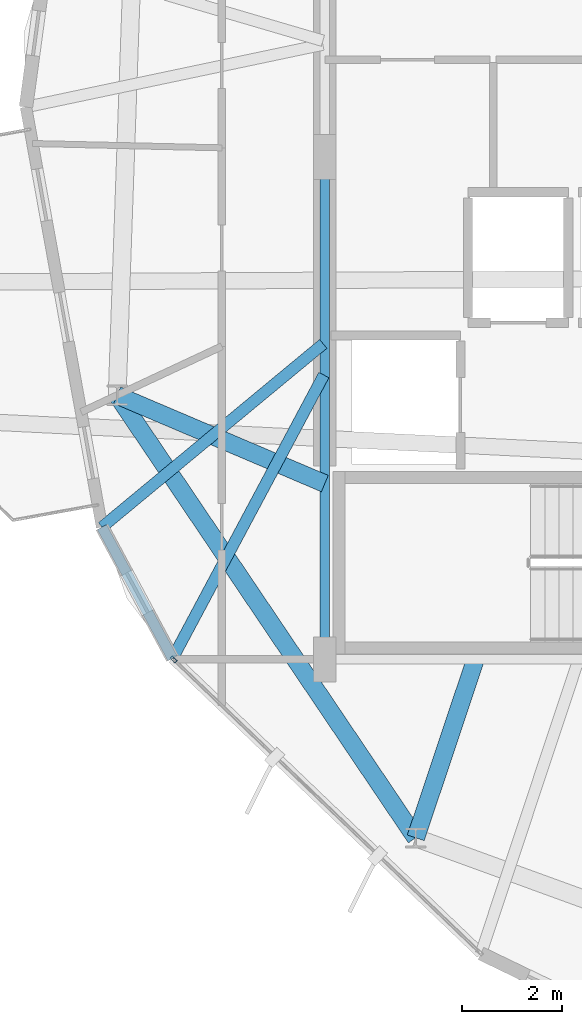
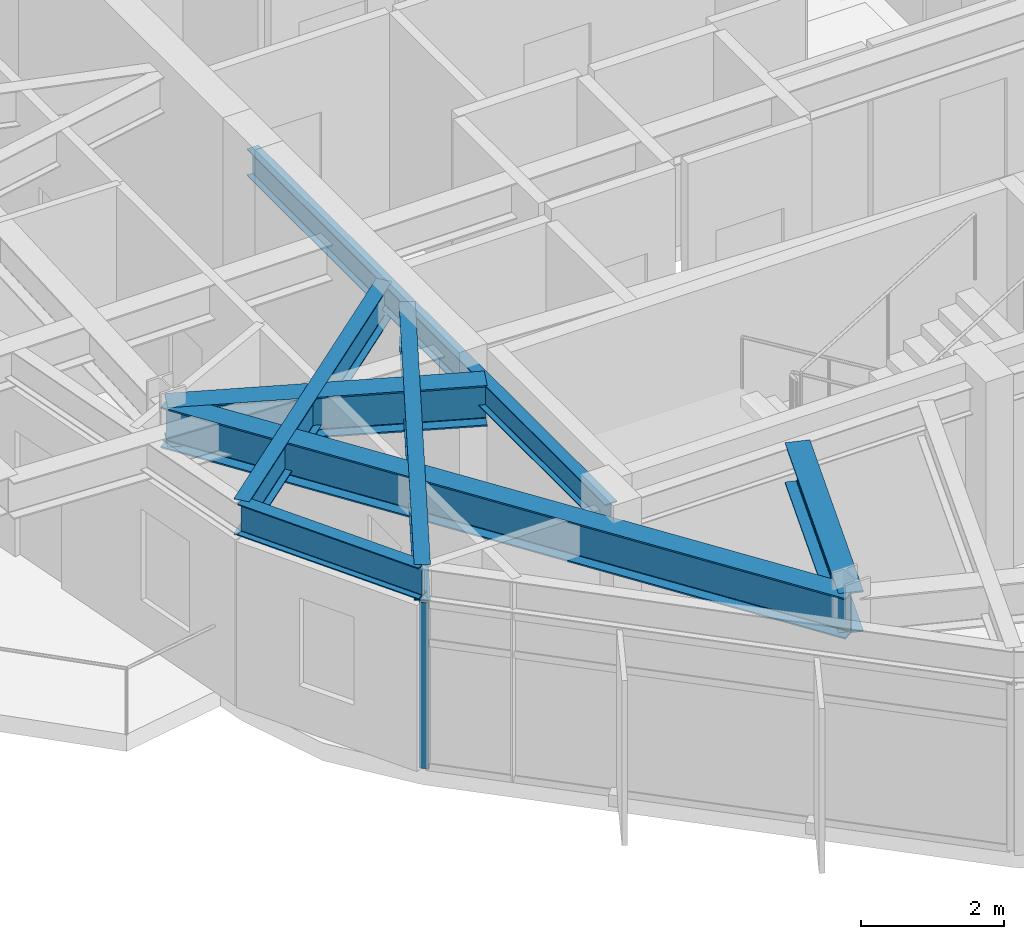
# One storey, part 3 of 26: 7 beams, 1 member, 1 element without a shape of its own.
"""IFC4 building model written with IfcOpenShell, lengths in metres."""

from ifc_helpers import new_model, si_unit, direction, frame, origin, origin_2d, place, context, subcontext, project, spatial, hollow_rectangle, i_section, extrude, material, layer, layer_set, material_profile, profile_set, type_object, element, aggregate, save


model = new_model("IFC4")

# Units and contexts
model_context = context("Model", 3, precision=1e-05, world=origin(), true_north=direction((0.0, 1.0)))
body_context = subcontext(model_context, "Body", "Model", "MODEL_VIEW")
ifc_project = project(units=[si_unit("LENGTHUNIT", "METRE"), si_unit("AREAUNIT", "SQUARE_METRE"), si_unit("VOLUMEUNIT", "CUBIC_METRE"), si_unit("PLANEANGLEUNIT", "RADIAN"), si_unit("MASSUNIT", "GRAM", prefix="KILO")], contexts=[model_context])

# Site, building, storey
site_placement = place(None, origin())
site = spatial("IfcSite", under=ifc_project, at=site_placement, CompositionType="ELEMENT")
building_placement = place(site_placement, origin())
building = spatial("IfcBuilding", under=site, at=building_placement, Name="Soratama Intermodal Tower", CompositionType="ELEMENT")
storey_placement = place(building_placement, frame((0.0, 0.0, 268.75)))
storey = spatial("IfcBuildingStorey", under=building, at=storey_placement, Name="L68", CompositionType="ELEMENT", Elevation=268.75)

# Beams
ifc_material_1 = material(Name="Structural steel ASTM A992 Grade 50", Category="steel")
ifc_material_profile_1 = material_profile(ifc_material_1, i_section(OverallWidth=0.19091796875, OverallDepth=0.4599609375, WebThickness=0.010009765625, FlangeThickness=0.01611328125, FilletRadius=0.010986328125, at=origin_2d()), Name="W18X55")
ifc_profile_set_1 = profile_set([ifc_material_profile_1], Name="Structural steel ASTM A992 Grade 50")
beam_type_1 = type_object("IfcBeamType", Name="BM-FLR-W18X55", PredefinedType="BEAM", material=ifc_profile_set_1)
beam_1_placement = place(storey_placement, frame((32.60009765625, 25.0, 3.219970703125), z_axis=(0.0, -1.0, 0.0), x_axis=(1.0, 0.0, 0.0)))
element("IfcBeam", 1, at=beam_1_placement, inside=storey, type_object=beam_type_1, Name="BM-L68-CRING-09", PredefinedType="BEAM", context=body_context, shape_type="SweptSolid", body=[
    extrude(i_section(OverallWidth=0.19091796875, OverallDepth=0.4599609375, WebThickness=0.010009765625, FlangeThickness=0.01611328125, FilletRadius=0.010986328125, at=origin_2d()), origin(), (0.0, 0.0, 1.0), 10.0),
])
ifc_material_2 = material(Name="Structural steel ASTM A992 Grade 50", Category="steel")
ifc_material_profile_2 = material_profile(ifc_material_2, i_section(OverallWidth=0.35498046875, OverallDepth=0.695068359375, WebThickness=0.015380859375, FlangeThickness=0.02490234375, FilletRadius=0.01611328125, at=origin_2d()), Name="W27X146")
ifc_profile_set_2 = profile_set([ifc_material_profile_2], Name="Structural steel ASTM A992 Grade 50")
beam_type_2 = type_object("IfcBeamType", Name="BM-RING-W27X146", PredefinedType="BEAM", material=ifc_profile_set_2)
beam_2_placement = place(storey_placement, frame((28.466064453125, 20.259033203125, 3.1025390625), z_axis=(0.559218025165, -0.829020627204, 0.0), x_axis=(0.829020627204, 0.559218025165, 0.0)))
element("IfcBeam", 2, at=beam_2_placement, inside=storey, type_object=beam_type_2, Name="BM-L68-RING-06", PredefinedType="BEAM", context=body_context, shape_type="SweptSolid", body=[
    extrude(i_section(OverallWidth=0.35498046875, OverallDepth=0.695068359375, WebThickness=0.015380859375, FlangeThickness=0.02490234375, FilletRadius=0.01611328125, at=origin_2d()), origin(), (0.0, 0.0, 1.0), 10.630615234375),
])
beam_3_placement = place(storey_placement, frame((32.60009765625, 18.5, 3.1025390625), z_axis=(-0.920165049547, 0.391530690485, 0.0), x_axis=(-0.391530690485, -0.920165049547, 0.0)))
element("IfcBeam", 3, at=beam_3_placement, inside=storey, type_object=beam_type_2, Name="BM-L68-RAD-06", PredefinedType="BEAM", context=body_context, shape_type="SweptSolid", body=[
    extrude(i_section(OverallWidth=0.35498046875, OverallDepth=0.695068359375, WebThickness=0.015380859375, FlangeThickness=0.02490234375, FilletRadius=0.01611328125, at=origin_2d()), origin(), (0.0, 0.0, 1.0), 4.49267578125),
])
beam_4_placement = place(storey_placement, frame((35.60009765625, 15.0, 3.1025390625), z_axis=(-0.317321993996, -0.948317853953, 0.0), x_axis=(0.948317853953, -0.317321993996, 0.0)))
element("IfcBeam", 4, at=beam_4_placement, inside=storey, type_object=beam_type_2, Name="BM-L68-RAD-07", PredefinedType="BEAM", context=body_context, shape_type="SweptSolid", body=[
    extrude(i_section(OverallWidth=0.35498046875, OverallDepth=0.695068359375, WebThickness=0.015380859375, FlangeThickness=0.02490234375, FilletRadius=0.01611328125, at=origin_2d()), origin(), (0.0, 0.0, 1.0), 3.74755859375),
])
ifc_material_3 = material(Name="Structural steel ASTM A992 Grade 50", Category="steel")
ifc_material_profile_3 = material_profile(ifc_material_3, i_section(OverallWidth=0.2099609375, OverallDepth=0.537109375, WebThickness=0.010986328125, FlangeThickness=0.017333984375, FilletRadius=0.012939453125, at=origin_2d()), Name="W21X68")
ifc_profile_set_3 = profile_set([ifc_material_profile_3], Name="Structural steel ASTM A992 Grade 50")
beam_type_3 = type_object("IfcBeamType", Name="BM-SPN-W21X68", PredefinedType="SPANDREL", material=ifc_profile_set_3)
beam_5_placement = place(storey_placement, frame((28.1630859375, 17.633056640625, 3.181396484375), z_axis=(0.473579576218, -0.880751034623, 0.0), x_axis=(0.880751034623, 0.473579576218, 0.0)))
element("IfcBeam", 5, at=beam_5_placement, inside=storey, type_object=beam_type_3, Name="BS-L68-CRN04", PredefinedType="SPANDREL", context=body_context, shape_type="SweptSolid", body=[
    extrude(i_section(OverallWidth=0.2099609375, OverallDepth=0.537109375, WebThickness=0.010986328125, FlangeThickness=0.017333984375, FilletRadius=0.012939453125, at=origin_2d()), origin(), (0.0, 0.0, 1.0), 2.966796875),
])
ifc_material_4 = material(Name="Structural steel ASTM A992 Grade 50", Category="steel")
ifc_material_profile_4 = material_profile(ifc_material_4, i_section(OverallWidth=0.22900390625, OverallDepth=0.612060546875, WebThickness=0.011962890625, FlangeThickness=0.01953125, FilletRadius=0.012939453125, at=origin_2d()), Name="W24X84")
ifc_profile_set_4 = profile_set([ifc_material_profile_4], Name="Structural steel ASTM A992 Grade 50")
beam_type_4 = type_object("IfcBeamType", Name="BM-TIE-W24X84", PredefinedType="BEAM", material=ifc_profile_set_4)
beam_6_placement = place(storey_placement, frame((32.569091796875, 21.281982421875, 3.14404296875), z_axis=(-0.77017309462, -0.637834935013, 0.0), x_axis=(0.637834935013, -0.77017309462, 0.0)))
element("IfcBeam", 6, at=beam_6_placement, inside=storey, type_object=beam_type_4, Name="BM-L68-TIE1-04", PredefinedType="BEAM", context=body_context, shape_type="SweptSolid", body=[
    extrude(i_section(OverallWidth=0.22900390625, OverallDepth=0.612060546875, WebThickness=0.011962890625, FlangeThickness=0.01953125, FilletRadius=0.012939453125, at=origin_2d()), origin(), (0.0, 0.0, 1.0), 5.720703125),
])
beam_7_placement = place(storey_placement, frame((32.5810546875, 20.662109375, 3.14404296875), z_axis=(-0.471053735918, -0.882104516414, 0.0), x_axis=(0.882104516414, -0.471053735918, 0.0)))
element("IfcBeam", 7, at=beam_7_placement, inside=storey, type_object=beam_type_4, Name="BM-L68-TIE0-05", PredefinedType="BEAM", context=body_context, shape_type="SweptSolid", body=[
    extrude(i_section(OverallWidth=0.22900390625, OverallDepth=0.612060546875, WebThickness=0.011962890625, FlangeThickness=0.01953125, FilletRadius=0.012939453125, at=origin_2d()), origin(), (0.0, 0.0, 1.0), 6.396240234375),
])

# Curtain wall, member
ifc_material_5 = material(Name="Double-glazed aluminium curtain wall", Category="aluminium")
ifc_layer = layer(ifc_material_5, 0.159912109375)
ifc_layer_set = layer_set([ifc_layer], Name="Double-glazed aluminium curtain wall")
curtain_wall_type = type_object("IfcCurtainWallType", Name="CW-SYS-5", PredefinedType="NOTDEFINED", material=ifc_layer_set)
curtain_wall_placement = place(storey_placement, origin())
curtain_wall = element("IfcCurtainWall", 8, at=curtain_wall_placement, inside=storey, type_object=curtain_wall_type, Name="L68 Faceted Curtain Wall F05", PredefinedType="NOTDEFINED")
ifc_material_6 = material(Name="Anodised aluminium AA 6063-T6", Category="aluminium")
ifc_material_profile_5 = material_profile(ifc_material_6, hollow_rectangle(XDim=0.06494140625, YDim=0.139892578125, WallThickness=0.0048828125, InnerFilletRadius=0.0048828125, OuterFilletRadius=0.010009765625, at=origin_2d()), Name="CWM140X65X5")
ifc_profile_set_5 = profile_set([ifc_material_profile_5], Name="Anodised aluminium AA 6063-T6")
member_type = type_object("IfcMemberType", Name="MT-CWM-5", PredefinedType="MULLION", material=ifc_profile_set_5)
member_placement = place(storey_placement, frame((29.58935546875, 14.999755859375, 0.0), z_axis=(0.0, 0.0, 1.0), x_axis=(0.69138850951, 0.722483168605, 0.0)))
member = element("IfcMember", 9, at=member_placement, type_object=member_type, Name="CW-5 mullion 1", PredefinedType="MULLION", context=body_context, shape_type="SweptSolid", body=[
    extrude(hollow_rectangle(XDim=0.06494140625, YDim=0.139892578125, WallThickness=0.0048828125, InnerFilletRadius=0.0048828125, OuterFilletRadius=0.010009765625, at=origin_2d()), origin(), (0.0, 0.0, 1.0), 2.8291015625),
])
aggregate(curtain_wall, [member])

save(model, "model.ifc")
